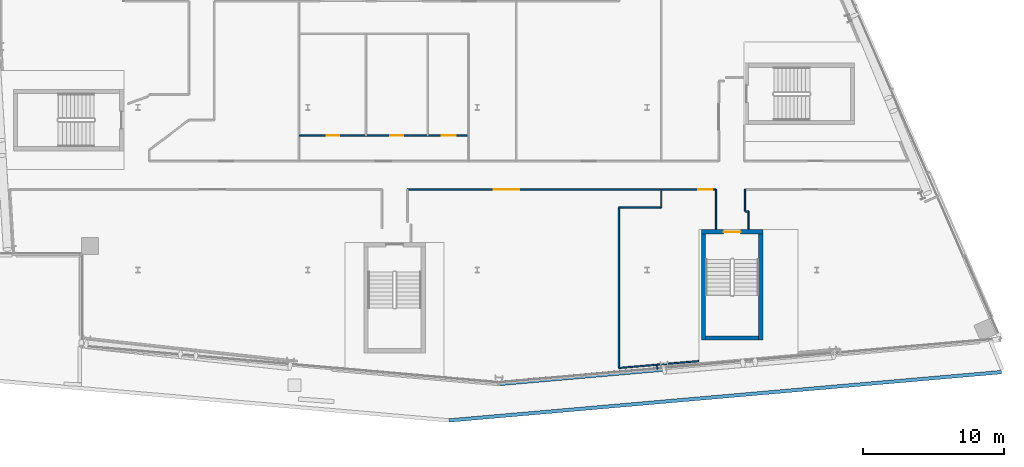
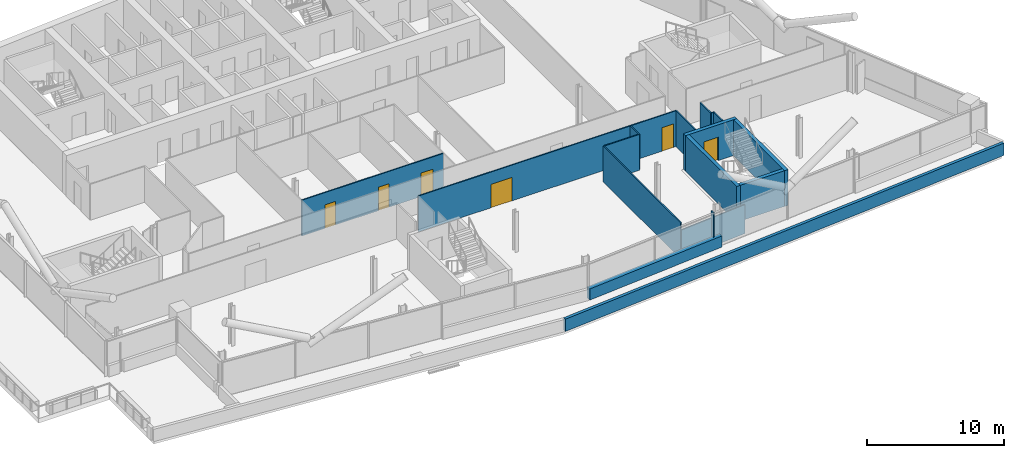
# One storey, part 14 of 27: 18 walls, 6 doors, 6 openings.
"""IFC4 building model written with IfcOpenShell, lengths in metres."""

from ifc_helpers import new_model, si_unit, direction, frame, frame_2d, origin, place, context, subcontext, project, spatial, rectangle, extrude, material, layer, layer_set, type_object, element, fill, save


model = new_model("IFC4")

# Units and contexts
model_context = context("Model", 3, precision=1e-05, world=origin(), true_north=direction((0.0, 1.0)))
body_context = subcontext(model_context, "Body", "Model", "MODEL_VIEW")
ifc_project = project(units=[si_unit("LENGTHUNIT", "METRE"), si_unit("AREAUNIT", "SQUARE_METRE"), si_unit("VOLUMEUNIT", "CUBIC_METRE"), si_unit("PLANEANGLEUNIT", "RADIAN"), si_unit("MASSUNIT", "GRAM", prefix="KILO")], contexts=[model_context])

# Site, building, storey
site_placement = place(None, origin())
site = spatial("IfcSite", under=ifc_project, at=site_placement, CompositionType="ELEMENT")
building_placement = place(site_placement, origin())
building = spatial("IfcBuilding", under=site, at=building_placement, Name="Wharfspan Tower", CompositionType="ELEMENT")
storey_placement = place(building_placement, frame((0.0, 0.0, 207.100098)))
storey = spatial("IfcBuildingStorey", under=building, at=storey_placement, Name="L51", CompositionType="ELEMENT", Elevation=207.100098)

# Wall, openings, doors
ifc_material_1 = material(Name="Gypsum board on steel studs", Category="steel")
ifc_layer_1 = layer(ifc_material_1, 0.100098)
ifc_layer_set_1 = layer_set([ifc_layer_1], Name="Gypsum board on steel studs")
wall_type_1 = type_object("IfcWallType", Name="Compartment wall 100 EI 60", PredefinedType="PARTITIONING", material=ifc_layer_set_1)
wall_1_placement = place(storey_placement, frame((43.054932, 17.195068, 0.0), z_axis=(0.0, 0.0, 1.0), x_axis=(1.0, 0.0, 0.0)))
wall_1 = element("IfcWall", 1, at=wall_1_placement, inside=storey, type_object=wall_type_1, Name="Partition L51.w027", PredefinedType="PARTITIONING", context=body_context, shape_type="SweptSolid", body=[
    extrude(rectangle(XDim=21.815186, YDim=0.100098, at=frame_2d((10.907715, 0.0))), origin(), (0.0, 0.0, 1.0), 3.199951),
])
opening_1_placement = place(wall_1_placement, frame((6.114502, 0.0, 0.0)))
opening_1 = element("IfcOpeningElement", 2, at=opening_1_placement, cuts=wall_1, Name="Opening D1-02", PredefinedType="OPENING", context=body_context, shape_type="SweptSolid", body=[
    extrude(rectangle(XDim=1.800049, YDim=2.100098, at=frame_2d((0.899902, 1.050049))), frame((0.0, 0.060059, 0.0), z_axis=(0.0, -1.0, 0.0), x_axis=(1.0, 0.0, 0.0)), (0.0, 0.0, 1.0), 0.120117),
])
opening_2_placement = place(wall_1_placement, frame((20.564941, 0.0, 0.0)))
opening_2 = element("IfcOpeningElement", 3, at=opening_2_placement, cuts=wall_1, Name="Opening D1-03", PredefinedType="OPENING", context=body_context, shape_type="SweptSolid", body=[
    extrude(rectangle(XDim=1.0, YDim=2.100098, at=frame_2d((0.5, 1.050049))), frame((0.0, 0.060059, 0.0), z_axis=(0.0, -1.0, 0.0), x_axis=(1.0, 0.0, 0.0)), (0.0, 0.0, 1.0), 0.120117),
])
ifc_material_2 = material(Name="Fire-rated timber door leaf in steel frame", Category="steel")
door_type_1 = type_object("IfcDoorType", Name="Door 1000 FD30S Right", OperationType="SINGLE_SWING_RIGHT", PredefinedType="DOOR", material=ifc_material_2)
door_1_placement = place(opening_2_placement, origin())
door_1 = element("IfcDoor", 4, at=door_1_placement, inside=storey, type_object=door_type_1, Name="Door D1-03", OperationType="SINGLE_SWING_RIGHT", OverallHeight=2.100098, OverallWidth=1.0, PredefinedType="DOOR", context=body_context, shape_type="SweptSolid", body=[
    extrude(rectangle(XDim=1.0, YDim=2.100098, at=frame_2d((0.5, 1.050049))), frame((0.0, 0.024902, 0.0), z_axis=(0.0, -1.0, 0.0), x_axis=(1.0, 0.0, 0.0)), (0.0, 0.0, 1.0), 0.050049),
])
fill(opening_2, door_1)
door_type_2 = type_object("IfcDoorType", Name="Door 1800 FD30S Double", OperationType="DOUBLE_DOOR_SINGLE_SWING", PredefinedType="DOOR", material=ifc_material_2)
door_2_placement = place(opening_1_placement, origin())
door_2 = element("IfcDoor", 5, at=door_2_placement, inside=storey, type_object=door_type_2, Name="Door D1-02", OperationType="DOUBLE_DOOR_SINGLE_SWING", OverallHeight=2.100098, OverallWidth=1.800049, PredefinedType="DOOR", context=body_context, shape_type="SweptSolid", body=[
    extrude(rectangle(XDim=1.800049, YDim=2.100098, at=frame_2d((0.899902, 1.050049))), frame((0.0, 0.024902, 0.0), z_axis=(0.0, -1.0, 0.0), x_axis=(1.0, 0.0, 0.0)), (0.0, 0.0, 1.0), 0.050049),
])
fill(opening_1, door_2)

# Walls
wall_2_placement = place(storey_placement, frame((61.0, 15.915039, 0.0), z_axis=(0.0, 0.0, 1.0), x_axis=(0.0, 1.0, 0.0)))
element("IfcWall", 6, at=wall_2_placement, inside=storey, type_object=wall_type_1, Name="Partition L51.w039", PredefinedType="PARTITIONING", context=body_context, shape_type="SweptSolid", body=[
    extrude(rectangle(XDim=1.280029, YDim=0.100098, at=frame_2d((0.640137, 0.0))), origin(), (0.0, 0.0, 1.0), 3.199951),
])
wall_3_placement = place(storey_placement, frame((64.870117, 14.366211, 0.0), z_axis=(0.0, 0.0, 1.0), x_axis=(0.0, 1.0, 0.0)))
element("IfcWall", 7, at=wall_3_placement, inside=storey, type_object=wall_type_1, Name="Partition L51.w041", PredefinedType="PARTITIONING", context=body_context, shape_type="SweptSolid", body=[
    extrude(rectangle(XDim=2.828857, YDim=0.100098, at=frame_2d((1.414551, 0.0))), origin(), (0.0, 0.0, 1.0), 3.199951),
])
wall_4_placement = place(storey_placement, frame((66.919922, 15.649902, 0.0), z_axis=(0.0, 0.0, 1.0), x_axis=(0.0, 1.0, 0.0)))
element("IfcWall", 8, at=wall_4_placement, inside=storey, type_object=wall_type_1, Name="Partition L51.w047", PredefinedType="PARTITIONING", context=body_context, shape_type="SweptSolid", body=[
    extrude(rectangle(XDim=1.545166, YDim=0.100098, at=frame_2d((0.772461, 0.0))), origin(), (0.0, 0.0, 1.0), 3.199951),
])
wall_5_placement = place(storey_placement, frame((66.925049, 15.64502, 0.0), z_axis=(0.0, 0.0, 1.0), x_axis=(1.0, 0.0, 0.0)))
element("IfcWall", 9, at=wall_5_placement, inside=storey, type_object=wall_type_1, Name="Partition L51.w049", PredefinedType="PARTITIONING", context=body_context, shape_type="SweptSolid", body=[
    extrude(rectangle(XDim=0.244873, YDim=0.100098, at=frame_2d((0.122559, 0.0))), origin(), (0.0, 0.0, 1.0), 3.199951),
])
wall_6_placement = place(storey_placement, frame((67.169922, 14.366211, 0.0), z_axis=(0.0, 0.0, 1.0), x_axis=(0.0, 1.0, 0.0)))
element("IfcWall", 10, at=wall_6_placement, inside=storey, type_object=wall_type_1, Name="Partition L51.w050", PredefinedType="PARTITIONING", context=body_context, shape_type="SweptSolid", body=[
    extrude(rectangle(XDim=1.278809, YDim=0.100098, at=frame_2d((0.639404, 0.0))), origin(), (0.0, 0.0, 1.0), 3.199951),
])
ifc_material_3 = material(Name="Concrete C40/50", Category="concrete")
ifc_layer_2 = layer(ifc_material_3, 0.25)
ifc_layer_set_2 = layer_set([ifc_layer_2], Name="Concrete C40/50")
wall_type_2 = type_object("IfcWallType", Name="PARAPET CONCRETE 250", PredefinedType="PARAPET", material=ifc_layer_set_2)
wall_7_placement = place(storey_placement, frame((85.055908, 4.279541, 0.0), z_axis=(0.0, 0.0, 1.0), x_axis=(-0.996197, -0.087157, 0.0)))
element("IfcWall", 11, at=wall_7_placement, inside=storey, type_object=wall_type_2, Name="Ledge parapet", PredefinedType="PARAPET", context=body_context, shape_type="SweptSolid", body=[
    extrude(rectangle(XDim=39.205078, YDim=0.25, at=frame_2d((19.602539, 0.0))), origin(), (0.0, 0.0, 1.0), 1.099854),
])

# Wall, openings, doors
ifc_layer_3 = layer(ifc_material_1, 0.100098)
ifc_layer_set_3 = layer_set([ifc_layer_3], Name="Gypsum board on steel studs")
wall_type_3 = type_object("IfcWallType", Name="Partition 100", PredefinedType="PARTITIONING", material=ifc_layer_set_3)
wall_8_placement = place(storey_placement, frame((35.375, 21.0, 0.0), z_axis=(0.0, 0.0, 1.0), x_axis=(1.0, 0.0, 0.0)))
wall_8 = element("IfcWall", 12, at=wall_8_placement, inside=storey, type_object=wall_type_3, Name="Partition L51.w022", PredefinedType="PARTITIONING", context=body_context, shape_type="SweptSolid", body=[
    extrude(rectangle(XDim=12.0, YDim=0.100098, at=frame_2d((6.0, 0.0))), origin(), (0.0, 0.0, 1.0), 3.199951),
])
opening_3_placement = place(wall_8_placement, frame((1.968018, 0.0, 0.0)))
opening_3 = element("IfcOpeningElement", 13, at=opening_3_placement, cuts=wall_8, Name="Opening D1-09", PredefinedType="OPENING", context=body_context, shape_type="SweptSolid", body=[
    extrude(rectangle(XDim=0.899902, YDim=2.100098, at=frame_2d((0.449951, 1.050049))), frame((0.0, 0.060059, 0.0), z_axis=(0.0, -1.0, 0.0), x_axis=(1.0, 0.0, 0.0)), (0.0, 0.0, 1.0), 0.120117),
])
opening_4_placement = place(wall_8_placement, frame((6.469971, 0.0, 0.0)))
opening_4 = element("IfcOpeningElement", 14, at=opening_4_placement, cuts=wall_8, Name="Opening D1-10", PredefinedType="OPENING", context=body_context, shape_type="SweptSolid", body=[
    extrude(rectangle(XDim=0.899902, YDim=2.100098, at=frame_2d((0.449951, 1.050049))), frame((0.0, 0.060059, 0.0), z_axis=(0.0, -1.0, 0.0), x_axis=(1.0, 0.0, 0.0)), (0.0, 0.0, 1.0), 0.120117),
])
opening_5_placement = place(wall_8_placement, frame((10.100098, 0.0, 0.0)))
opening_5 = element("IfcOpeningElement", 15, at=opening_5_placement, cuts=wall_8, Name="Opening D1-11", PredefinedType="OPENING", context=body_context, shape_type="SweptSolid", body=[
    extrude(rectangle(XDim=1.0, YDim=2.100098, at=frame_2d((0.5, 1.050049))), frame((0.0, 0.060059, 0.0), z_axis=(0.0, -1.0, 0.0), x_axis=(1.0, 0.0, 0.0)), (0.0, 0.0, 1.0), 0.120117),
])
ifc_material_4 = material(Name="Timber door leaf in steel frame", Category="steel")
door_type_3 = type_object("IfcDoorType", Name="Door 1000 NOT RATED Right", OperationType="SINGLE_SWING_RIGHT", PredefinedType="DOOR", material=ifc_material_4)
door_3_placement = place(opening_5_placement, origin())
door_3 = element("IfcDoor", 16, at=door_3_placement, inside=storey, type_object=door_type_3, Name="Door D1-11", OperationType="SINGLE_SWING_RIGHT", OverallHeight=2.100098, OverallWidth=1.0, PredefinedType="DOOR", context=body_context, shape_type="SweptSolid", body=[
    extrude(rectangle(XDim=1.0, YDim=2.100098, at=frame_2d((0.5, 1.050049))), frame((0.0, 0.024902, 0.0), z_axis=(0.0, -1.0, 0.0), x_axis=(1.0, 0.0, 0.0)), (0.0, 0.0, 1.0), 0.050049),
])
fill(opening_5, door_3)
door_type_4 = type_object("IfcDoorType", Name="Door 900 NOT RATED Left", OperationType="SINGLE_SWING_LEFT", PredefinedType="DOOR", material=ifc_material_4)
door_4_placement = place(opening_3_placement, origin())
door_4 = element("IfcDoor", 17, at=door_4_placement, inside=storey, type_object=door_type_4, Name="Door D1-09", OperationType="SINGLE_SWING_LEFT", OverallHeight=2.100098, OverallWidth=0.899902, PredefinedType="DOOR", context=body_context, shape_type="SweptSolid", body=[
    extrude(rectangle(XDim=0.899902, YDim=2.100098, at=frame_2d((0.449951, 1.050049))), frame((0.0, 0.024902, 0.0), z_axis=(0.0, -1.0, 0.0), x_axis=(1.0, 0.0, 0.0)), (0.0, 0.0, 1.0), 0.050049),
])
fill(opening_3, door_4)
door_type_5 = type_object("IfcDoorType", Name="Door 900 NOT RATED Right", OperationType="SINGLE_SWING_RIGHT", PredefinedType="DOOR", material=ifc_material_4)
door_5_placement = place(opening_4_placement, origin())
door_5 = element("IfcDoor", 18, at=door_5_placement, inside=storey, type_object=door_type_5, Name="Door D1-10", OperationType="SINGLE_SWING_RIGHT", OverallHeight=2.100098, OverallWidth=0.899902, PredefinedType="DOOR", context=body_context, shape_type="SweptSolid", body=[
    extrude(rectangle(XDim=0.899902, YDim=2.100098, at=frame_2d((0.449951, 1.050049))), frame((0.0, 0.024902, 0.0), z_axis=(0.0, -1.0, 0.0), x_axis=(1.0, 0.0, 0.0)), (0.0, 0.0, 1.0), 0.050049),
])
fill(opening_4, door_5)

# Walls
wall_9_placement = place(storey_placement, frame((58.0, 4.570068, 0.0), z_axis=(0.0, 0.0, 1.0), x_axis=(0.996256, 0.086498, 0.0)))
element("IfcWall", 19, at=wall_9_placement, inside=storey, type_object=wall_type_3, Name="Partition L51.w032", PredefinedType="PARTITIONING", context=body_context, shape_type="SweptSolid", body=[
    extrude(rectangle(XDim=2.715332, YDim=0.100098, at=frame_2d((1.357666, 0.0))), origin(), (0.0, 0.0, 1.0), 2.579834),
])
wall_10_placement = place(storey_placement, frame((58.0, 4.574951, 0.0), z_axis=(0.0, 0.0, 1.0), x_axis=(0.0, 1.0, 0.0)))
element("IfcWall", 20, at=wall_10_placement, inside=storey, type_object=wall_type_3, Name="Partition L51.w034", PredefinedType="PARTITIONING", context=body_context, shape_type="SweptSolid", body=[
    extrude(rectangle(XDim=11.340088, YDim=0.100098, at=frame_2d((5.669922, 0.0))), origin(), (0.0, 0.0, 1.0), 3.199951),
])
wall_11_placement = place(storey_placement, frame((58.0, 15.915039, 0.0), z_axis=(0.0, 0.0, 1.0), x_axis=(1.0, 0.0, 0.0)))
element("IfcWall", 21, at=wall_11_placement, inside=storey, type_object=wall_type_3, Name="Partition L51.w035", PredefinedType="PARTITIONING", context=body_context, shape_type="SweptSolid", body=[
    extrude(rectangle(XDim=3.0, YDim=0.100098, at=frame_2d((1.5, 0.0))), origin(), (0.0, 0.0, 1.0), 3.199951),
])
wall_12_placement = place(storey_placement, frame((60.705078, 4.804932, 0.0), z_axis=(0.0, 0.0, 1.0), x_axis=(0.996324, 0.085692, 0.0)))
element("IfcWall", 22, at=wall_12_placement, inside=storey, type_object=wall_type_3, Name="Partition L51.w037", PredefinedType="PARTITIONING", context=body_context, shape_type="SweptSolid", body=[
    extrude(rectangle(XDim=2.95459, YDim=0.100098, at=frame_2d((1.477295, 0.0))), origin(), (0.0, 0.0, 1.0), 2.579834),
])
wall_13_placement = place(storey_placement, frame((60.73291, 4.49707, 0.0), z_axis=(0.0, 0.0, 1.0), x_axis=(-0.090037, 0.995936, 0.0)))
element("IfcWall", 23, at=wall_13_placement, inside=storey, type_object=wall_type_3, Name="Partition L51.w038", PredefinedType="PARTITIONING", context=body_context, shape_type="SweptSolid", body=[
    extrude(rectangle(XDim=0.309082, YDim=0.100098, at=frame_2d((0.154541, 0.0))), origin(), (0.0, 0.0, 1.0), 3.199951),
])
ifc_layer_4 = layer(ifc_material_3, 0.350098)
ifc_layer_set_4 = layer_set([ifc_layer_4], Name="Concrete C40/50")
wall_type_4 = type_object("IfcWallType", Name="SPANDREL EXPOSED CONCRETE 350", PredefinedType="SOLIDWALL", material=ifc_layer_set_4)
wall_14_placement = place(storey_placement, frame((49.54541, 3.493164, 0.0), z_axis=(0.0, 0.0, 1.0), x_axis=(0.996196, 0.087141, 0.0)))
element("IfcWall", 24, at=wall_14_placement, inside=storey, type_object=wall_type_4, Name="Spandrel upstand L51 S2 1", PredefinedType="SOLIDWALL", context=body_context, shape_type="SweptSolid", body=[
    extrude(rectangle(XDim=11.803467, YDim=0.350098, at=frame_2d((5.901855, 0.0))), origin(), (0.0, 0.0, 1.0), 1.0),
])

# Wall, opening, door
ifc_layer_5 = layer(ifc_material_3, 0.300049)
ifc_layer_set_5 = layer_set([ifc_layer_5], Name="Concrete C40/50")
wall_type_5 = type_object("IfcWallType", Name="Stair core wall 300", PredefinedType="SHEAR", material=ifc_layer_set_5)
wall_15_placement = place(storey_placement, frame((63.84375, 14.196289, 0.0), z_axis=(0.0, 0.0, 1.0), x_axis=(1.0, 0.0, 0.0)))
wall_15 = element("IfcWall", 25, at=wall_15_placement, inside=storey, type_object=wall_type_5, Name="ST5 stair enclosure wall L51", PredefinedType="SHEAR", context=body_context, shape_type="SweptSolid", body=[
    extrude(rectangle(XDim=4.350098, YDim=0.300049, at=frame_2d((2.175049, 0.0))), origin(), (0.0, 0.0, 1.0), 3.199951),
])
opening_6_placement = place(wall_15_placement, frame((1.574951, 0.0, 0.0)))
opening_6 = element("IfcOpeningElement", 26, at=opening_6_placement, cuts=wall_15, Name="Opening SD5.L51", PredefinedType="OPENING", context=body_context, shape_type="SweptSolid", body=[
    extrude(rectangle(XDim=1.199951, YDim=2.100098, at=frame_2d((0.600098, 1.050049))), frame((0.0, 0.159912, 0.0), z_axis=(0.0, -1.0, 0.0), x_axis=(1.0, 0.0, 0.0)), (0.0, 0.0, 1.0), 0.320068),
])
ifc_material_5 = material(Name="Steel door leaf", Category="steel")
door_type_6 = type_object("IfcDoorType", Name="Stair door 1200x2100", OperationType="SINGLE_SWING_LEFT", PredefinedType="DOOR", material=ifc_material_5)
door_6_placement = place(opening_6_placement, origin())
door_6 = element("IfcDoor", 27, at=door_6_placement, inside=storey, type_object=door_type_6, Name="sd:L51:ST5z4", OperationType="SINGLE_SWING_RIGHT", OverallHeight=2.100098, OverallWidth=1.199951, PredefinedType="DOOR", context=body_context, shape_type="SweptSolid", body=[
    extrude(rectangle(XDim=1.199951, YDim=2.100098, at=frame_2d((0.600098, 1.050049))), frame((0.0, 0.024902, 0.0), z_axis=(0.0, -1.0, 0.0), x_axis=(1.0, 0.0, 0.0)), (0.0, 0.0, 1.0), 0.050049),
])
fill(opening_6, door_6)

# Walls
for number, where, z_axis, x_axis, name in (
    (28, (63.993896, 6.546143, 0.0), (0.0, 0.0, 1.0), (0.0, 1.0, 0.0), "ST5 stair enclosure wall L51"),
    (29, (68.043701, 6.546143, 0.0), (0.0, 0.0, 1.0), (0.0, 1.0, 0.0), "ST5 stair enclosure wall L51"),
):
    element("IfcWall", number, at=place(storey_placement, frame(where, z_axis=z_axis, x_axis=x_axis)), inside=storey, type_object=wall_type_5, Name=name, PredefinedType="SHEAR", context=body_context, shape_type="SweptSolid", body=[
        extrude(rectangle(XDim=7.5, YDim=0.300049, at=frame_2d((3.75, 0.0))), origin(), (0.0, 0.0, 1.0), 3.199951),
    ])
wall_16_placement = place(storey_placement, frame((64.143799, 6.696289, 0.0), z_axis=(0.0, 0.0, 1.0), x_axis=(1.0, 0.0, 0.0)))
element("IfcWall", 30, at=wall_16_placement, inside=storey, type_object=wall_type_5, Name="ST5 stair enclosure wall L51", PredefinedType="SHEAR", context=body_context, shape_type="SweptSolid", body=[
    extrude(rectangle(XDim=3.75, YDim=0.300049, at=frame_2d((1.875, 0.0))), origin(), (0.0, 0.0, 1.0), 3.199951),
])

save(model, "model.ifc")
